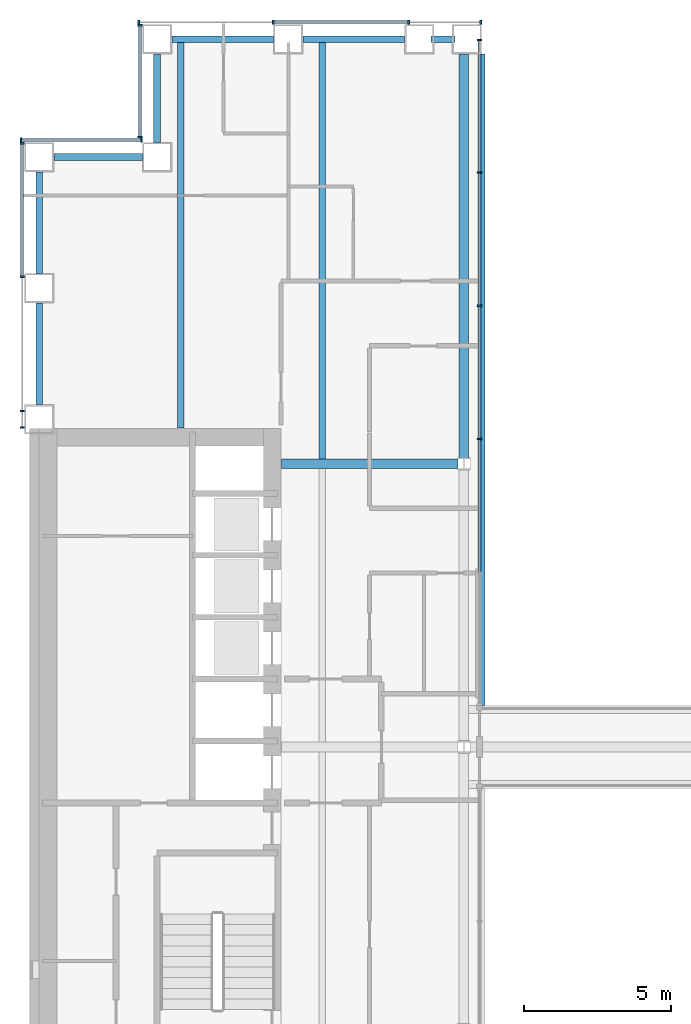
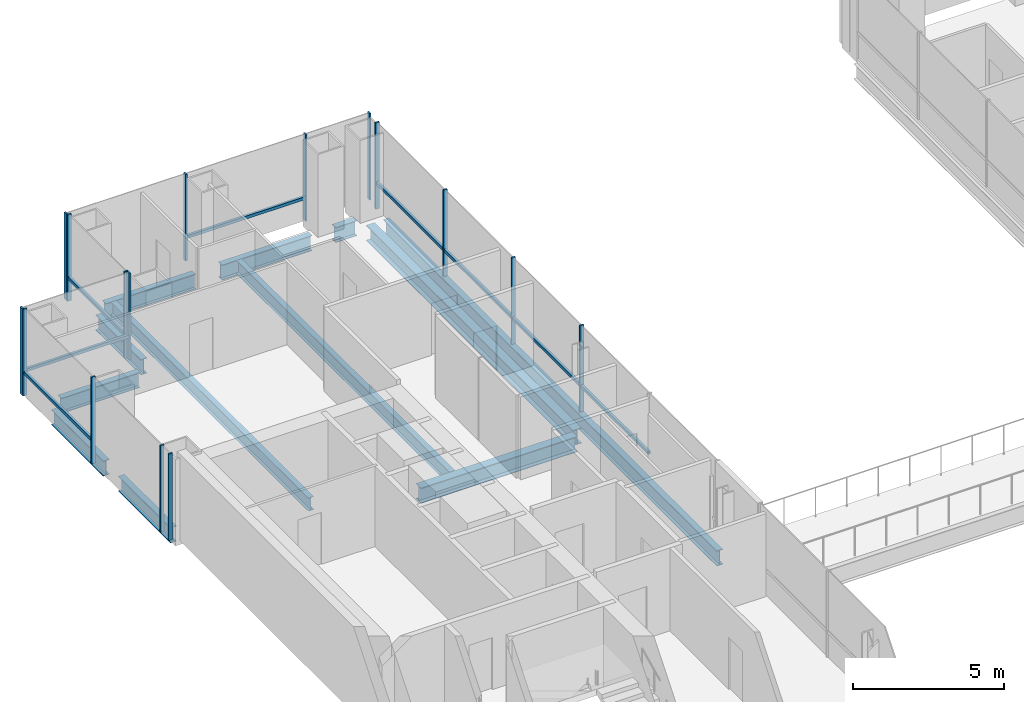
# One storey, part 6 of 18: 24 members, 12 beams, 5 elements without a shape of their own.
"""IFC4 building model written with IfcOpenShell, lengths in metres."""

from ifc_helpers import new_model, si_unit, direction, frame, origin, origin_2d, place, context, subcontext, project, spatial, rectangle, i_section, extrude, material, material_profile, profile_set, type_object, element, aggregate, save


model = new_model("IFC4")

# Units and contexts
model_context = context("Model", 3, precision=1e-05, world=origin(), true_north=direction((0.0, 1.0)))
body_context = subcontext(model_context, "Body", "Model", "MODEL_VIEW")
ifc_project = project(units=[si_unit("LENGTHUNIT", "METRE"), si_unit("AREAUNIT", "SQUARE_METRE"), si_unit("VOLUMEUNIT", "CUBIC_METRE"), si_unit("PLANEANGLEUNIT", "RADIAN"), si_unit("MASSUNIT", "GRAM", prefix="KILO")], contexts=[model_context])

# Site, building, storey
site_placement = place(None, origin())
site = spatial("IfcSite", under=ifc_project, at=site_placement, CompositionType="ELEMENT")
building_placement = place(site_placement, origin())
building = spatial("IfcBuilding", under=site, at=building_placement, Name="Cobrizo Arcos Hotel Tower", CompositionType="ELEMENT")
storey_placement = place(building_placement, frame((0.0, 0.0, 77.5)))
storey = spatial("IfcBuildingStorey", under=building, at=storey_placement, Name="L18", CompositionType="ELEMENT", Elevation=77.5)

# Curtain wall, members
ifc_material_1 = material(Name="Aluminium 6063-T6 anodised bronze", Category="aluminium")
curtain_wall_type_1 = type_object("IfcCurtainWallType", Name="CW-A guest facade", PredefinedType="NOTDEFINED", material=ifc_material_1)
curtain_wall_1_placement = place(storey_placement, origin())
curtain_wall_1 = element("IfcCurtainWall", 1, at=curtain_wall_1_placement, inside=storey, type_object=curtain_wall_type_1, Name="CW-A L18 N face", PredefinedType="NOTDEFINED")
ifc_material_profile_1 = material_profile(ifc_material_1, rectangle(XDim=0.14990234375, YDim=0.06005859375, at=origin_2d()), Name="CW-A mullion 150x60")
ifc_profile_set_1 = profile_set([ifc_material_profile_1], Name="Aluminium 6063-T6 anodised bronze")
member_type_1 = type_object("IfcMemberType", Name="CW-A mullion 150x60", PredefinedType="MULLION", material=ifc_profile_set_1)
member_1_placement = place(storey_placement, frame((-9.030029296875, 24.574951171875, 0.0), z_axis=(0.0, 0.0, 1.0), x_axis=(0.0, 1.0, 0.0)))
member_1 = element("IfcMember", 2, at=member_1_placement, type_object=member_type_1, Name="CW-A mullion 1", PredefinedType="MULLION", context=body_context, shape_type="SweptSolid", body=[
    extrude(rectangle(XDim=0.14990234375, YDim=0.06005859375, at=origin_2d()), origin(), (0.0, 0.0, 1.0), 3.5),
])
member_2_placement = place(storey_placement, frame((-11.47216796875, 24.574951171875, 0.0), z_axis=(0.0, 0.0, 1.0), x_axis=(0.0, 1.0, 0.0)))
member_2 = element("IfcMember", 3, at=member_2_placement, type_object=member_type_1, Name="CW-A mullion 2", PredefinedType="MULLION", context=body_context, shape_type="SweptSolid", body=[
    extrude(rectangle(XDim=0.14990234375, YDim=0.06005859375, at=origin_2d()), origin(), (0.0, 0.0, 1.0), 3.5),
])
member_3_placement = place(storey_placement, frame((-16.06103515625, 24.574951171875, 0.0), z_axis=(0.0, 0.0, 1.0), x_axis=(0.0, 1.0, 0.0)))
member_3 = element("IfcMember", 4, at=member_3_placement, type_object=member_type_1, Name="CW-A mullion 3", PredefinedType="MULLION", context=body_context, shape_type="SweptSolid", body=[
    extrude(rectangle(XDim=0.14990234375, YDim=0.06005859375, at=origin_2d()), origin(), (0.0, 0.0, 1.0), 3.5),
])
member_4_placement = place(storey_placement, frame((-20.6201171875, 24.574951171875, 0.0), z_axis=(0.0, 0.0, 1.0), x_axis=(0.0, 1.0, 0.0)))
member_4 = element("IfcMember", 5, at=member_4_placement, type_object=member_type_1, Name="CW-A mullion 4", PredefinedType="MULLION", context=body_context, shape_type="SweptSolid", body=[
    extrude(rectangle(XDim=0.14990234375, YDim=0.06005859375, at=origin_2d()), origin(), (0.0, 0.0, 1.0), 3.5),
])

curtain_wall_2_placement = place(storey_placement, origin())
curtain_wall_2 = element("IfcCurtainWall", 6, at=curtain_wall_2_placement, inside=storey, type_object=curtain_wall_type_1, Name="CW-A L18 W face", PredefinedType="NOTDEFINED")
member_5_placement = place(storey_placement, frame((-20.574951171875, 24.469970703125, 0.0), z_axis=(0.0, 0.0, 1.0), x_axis=(-1.0, 0.0, 0.0)))
member_5 = element("IfcMember", 7, at=member_5_placement, type_object=member_type_1, Name="CW-A mullion 1", PredefinedType="MULLION", context=body_context, shape_type="SweptSolid", body=[
    extrude(rectangle(XDim=0.14990234375, YDim=0.06005859375, at=origin_2d()), origin(), (0.0, 0.0, 1.0), 3.5),
])
member_6_placement = place(storey_placement, frame((-20.574951171875, 20.679931640625, 0.0), z_axis=(0.0, 0.0, 1.0), x_axis=(-1.0, 0.0, 0.0)))
member_6 = element("IfcMember", 8, at=member_6_placement, type_object=member_type_1, Name="CW-A mullion 2", PredefinedType="MULLION", context=body_context, shape_type="SweptSolid", body=[
    extrude(rectangle(XDim=0.14990234375, YDim=0.06005859375, at=origin_2d()), origin(), (0.0, 0.0, 1.0), 3.5),
])

curtain_wall_3_placement = place(storey_placement, origin())
curtain_wall_3 = element("IfcCurtainWall", 9, at=curtain_wall_3_placement, inside=storey, type_object=curtain_wall_type_1, Name="CW-A L18 N face", PredefinedType="NOTDEFINED")
member_7_placement = place(storey_placement, frame((-20.530029296875, 20.574951171875, 0.0), z_axis=(0.0, 0.0, 1.0), x_axis=(0.0, 1.0, 0.0)))
member_7 = element("IfcMember", 10, at=member_7_placement, type_object=member_type_1, Name="CW-A mullion 1", PredefinedType="MULLION", context=body_context, shape_type="SweptSolid", body=[
    extrude(rectangle(XDim=0.14990234375, YDim=0.06005859375, at=origin_2d()), origin(), (0.0, 0.0, 1.0), 3.5),
])
member_8_placement = place(storey_placement, frame((-24.6201171875, 20.574951171875, 0.0), z_axis=(0.0, 0.0, 1.0), x_axis=(0.0, 1.0, 0.0)))
member_8 = element("IfcMember", 11, at=member_8_placement, type_object=member_type_1, Name="CW-A mullion 2", PredefinedType="MULLION", context=body_context, shape_type="SweptSolid", body=[
    extrude(rectangle(XDim=0.14990234375, YDim=0.06005859375, at=origin_2d()), origin(), (0.0, 0.0, 1.0), 3.5),
])

curtain_wall_4_placement = place(storey_placement, origin())
curtain_wall_4 = element("IfcCurtainWall", 12, at=curtain_wall_4_placement, inside=storey, type_object=curtain_wall_type_1, Name="CW-A L18 W face", PredefinedType="NOTDEFINED")
member_9_placement = place(storey_placement, frame((-24.574951171875, 20.469970703125, 0.0), z_axis=(0.0, 0.0, 1.0), x_axis=(-1.0, 0.0, 0.0)))
member_9 = element("IfcMember", 13, at=member_9_placement, type_object=member_type_1, Name="CW-A mullion 1", PredefinedType="MULLION", context=body_context, shape_type="SweptSolid", body=[
    extrude(rectangle(XDim=0.14990234375, YDim=0.06005859375, at=origin_2d()), origin(), (0.0, 0.0, 1.0), 3.5),
])
member_10_placement = place(storey_placement, frame((-24.574951171875, 15.9443359375, 0.0), z_axis=(0.0, 0.0, 1.0), x_axis=(-1.0, 0.0, 0.0)))
member_10 = element("IfcMember", 14, at=member_10_placement, type_object=member_type_1, Name="CW-A mullion 2", PredefinedType="MULLION", context=body_context, shape_type="SweptSolid", body=[
    extrude(rectangle(XDim=0.14990234375, YDim=0.06005859375, at=origin_2d()), origin(), (0.0, 0.0, 1.0), 3.5),
])
member_11_placement = place(storey_placement, frame((-24.574951171875, 11.388916015625, 0.0), z_axis=(0.0, 0.0, 1.0), x_axis=(-1.0, 0.0, 0.0)))
member_11 = element("IfcMember", 15, at=member_11_placement, type_object=member_type_1, Name="CW-A mullion 3", PredefinedType="MULLION", context=body_context, shape_type="SweptSolid", body=[
    extrude(rectangle(XDim=0.14990234375, YDim=0.06005859375, at=origin_2d()), origin(), (0.0, 0.0, 1.0), 3.5),
])
member_12_placement = place(storey_placement, frame((-24.574951171875, 10.830078125, 0.0), z_axis=(0.0, 0.0, 1.0), x_axis=(-1.0, 0.0, 0.0)))
member_12 = element("IfcMember", 16, at=member_12_placement, type_object=member_type_1, Name="CW-A mullion 4", PredefinedType="MULLION", context=body_context, shape_type="SweptSolid", body=[
    extrude(rectangle(XDim=0.14990234375, YDim=0.06005859375, at=origin_2d()), origin(), (0.0, 0.0, 1.0), 3.5),
])

# Member
ifc_material_profile_2 = material_profile(ifc_material_1, rectangle(XDim=0.10009765625, YDim=0.1201171875, at=origin_2d()), Name="CW-A transom 120x100")
ifc_profile_set_2 = profile_set([ifc_material_profile_2], Name="Aluminium 6063-T6 anodised bronze")
member_type_2 = type_object("IfcMemberType", Name="CW-A transom 120x100", PredefinedType="USERDEFINED", material=ifc_profile_set_2)
member_13_placement = place(storey_placement, frame((-11.502197265625, 24.574951171875, 0.929931640625), z_axis=(-1.0, 0.0, 0.0), x_axis=(0.0, -1.0, 0.0)))
member_13 = element("IfcMember", 17, at=member_13_placement, type_object=member_type_2, Name="CW-A transom 769", ObjectType="TRANSOM", PredefinedType="USERDEFINED", context=body_context, shape_type="SweptSolid", body=[
    extrude(rectangle(XDim=0.10009765625, YDim=0.1201171875, at=origin_2d()), origin(), (0.0, 0.0, 1.0), 4.52880859375),
])

aggregate(curtain_wall_1, [member_1, member_2, member_3, member_4, member_13])

member_14_placement = place(storey_placement, frame((-20.574951171875, 24.43994140625, 0.929931640625), z_axis=(0.0, -1.0, 0.0), x_axis=(1.0, 0.0, 0.0)))
member_14 = element("IfcMember", 18, at=member_14_placement, type_object=member_type_2, Name="CW-A transom 771", ObjectType="TRANSOM", PredefinedType="USERDEFINED", context=body_context, shape_type="SweptSolid", body=[
    extrude(rectangle(XDim=0.10009765625, YDim=0.1201171875, at=origin_2d()), origin(), (0.0, 0.0, 1.0), 3.72998046875),
])

aggregate(curtain_wall_2, [member_5, member_6, member_14])

member_15_placement = place(storey_placement, frame((-20.56005859375, 20.574951171875, 0.929931640625), z_axis=(-1.0, 0.0, 0.0), x_axis=(0.0, -1.0, 0.0)))
member_15 = element("IfcMember", 19, at=member_15_placement, type_object=member_type_2, Name="CW-A transom 772", ObjectType="TRANSOM", PredefinedType="USERDEFINED", context=body_context, shape_type="SweptSolid", body=[
    extrude(rectangle(XDim=0.10009765625, YDim=0.1201171875, at=origin_2d()), origin(), (0.0, 0.0, 1.0), 4.030029296875),
])

aggregate(curtain_wall_3, [member_7, member_8, member_15])

member_16_placement = place(storey_placement, frame((-24.574951171875, 20.43994140625, 0.929931640625), z_axis=(0.0, -1.0, 0.0), x_axis=(1.0, 0.0, 0.0)))
member_16 = element("IfcMember", 20, at=member_16_placement, type_object=member_type_2, Name="CW-A transom 773", ObjectType="TRANSOM", PredefinedType="USERDEFINED", context=body_context, shape_type="SweptSolid", body=[
    extrude(rectangle(XDim=0.10009765625, YDim=0.1201171875, at=origin_2d()), origin(), (0.0, 0.0, 1.0), 4.465576171875),
])

aggregate(curtain_wall_4, [member_9, member_10, member_11, member_12, member_16])

# Curtain wall, members
curtain_wall_type_2 = type_object("IfcCurtainWallType", Name="CW-F void screen", PredefinedType="NOTDEFINED", material=ifc_material_1)
curtain_wall_5_placement = place(storey_placement, origin())
curtain_wall_5 = element("IfcCurtainWall", 21, at=curtain_wall_5_placement, inside=storey, type_object=curtain_wall_type_2, Name="CW-F L18 void screen A", PredefinedType="NOTDEFINED")
ifc_material_profile_3 = material_profile(ifc_material_1, rectangle(XDim=0.14990234375, YDim=0.06005859375, at=origin_2d()), Name="CW-F mullion 150x60")
ifc_profile_set_3 = profile_set([ifc_material_profile_3], Name="Aluminium 6063-T6 anodised bronze")
member_type_3 = type_object("IfcMemberType", Name="CW-F mullion 150x60", PredefinedType="MULLION", material=ifc_profile_set_3)
member_17_placement = place(storey_placement, frame((-9.074951171875, 23.969970703125, 0.0), z_axis=(0.0, 0.0, 1.0), x_axis=(-1.0, 0.0, 0.0)))
member_17 = element("IfcMember", 22, at=member_17_placement, type_object=member_type_3, Name="CW-F mullion 1", PredefinedType="MULLION", context=body_context, shape_type="SweptSolid", body=[
    extrude(rectangle(XDim=0.14990234375, YDim=0.06005859375, at=origin_2d()), origin(), (0.0, 0.0, 1.0), 3.5),
])
member_18_placement = place(storey_placement, frame((-9.074951171875, 19.47998046875, 0.0), z_axis=(0.0, 0.0, 1.0), x_axis=(-1.0, 0.0, 0.0)))
member_18 = element("IfcMember", 23, at=member_18_placement, type_object=member_type_3, Name="CW-F mullion 2", PredefinedType="MULLION", context=body_context, shape_type="SweptSolid", body=[
    extrude(rectangle(XDim=0.14990234375, YDim=0.06005859375, at=origin_2d()), origin(), (0.0, 0.0, 1.0), 3.5),
])
member_19_placement = place(storey_placement, frame((-9.074951171875, 14.9599609375, 0.0), z_axis=(0.0, 0.0, 1.0), x_axis=(-1.0, 0.0, 0.0)))
member_19 = element("IfcMember", 24, at=member_19_placement, type_object=member_type_3, Name="CW-F mullion 3", PredefinedType="MULLION", context=body_context, shape_type="SweptSolid", body=[
    extrude(rectangle(XDim=0.14990234375, YDim=0.06005859375, at=origin_2d()), origin(), (0.0, 0.0, 1.0), 3.5),
])
member_20_placement = place(storey_placement, frame((-9.074951171875, 10.43994140625, 0.0), z_axis=(0.0, 0.0, 1.0), x_axis=(-1.0, 0.0, 0.0)))
member_20 = element("IfcMember", 25, at=member_20_placement, type_object=member_type_3, Name="CW-F mullion 4", PredefinedType="MULLION", context=body_context, shape_type="SweptSolid", body=[
    extrude(rectangle(XDim=0.14990234375, YDim=0.06005859375, at=origin_2d()), origin(), (0.0, 0.0, 1.0), 3.5),
])
ifc_material_profile_4 = material_profile(ifc_material_1, rectangle(XDim=0.10009765625, YDim=0.1201171875, at=origin_2d()), Name="CW-F transom 120x100")
ifc_profile_set_4 = profile_set([ifc_material_profile_4], Name="Aluminium 6063-T6 anodised bronze")
member_type_4 = type_object("IfcMemberType", Name="CW-F transom 120x100", PredefinedType="USERDEFINED", material=ifc_profile_set_4)
member_21_placement = place(storey_placement, frame((-9.074951171875, 23.93994140625, 1.050048828125), z_axis=(0.0, -1.0, 0.0), x_axis=(1.0, 0.0, 0.0)))
member_21 = element("IfcMember", 26, at=member_21_placement, type_object=member_type_4, Name="CW-F transom 2538", ObjectType="TRANSOM", PredefinedType="USERDEFINED", context=body_context, shape_type="SweptSolid", body=[
    extrude(rectangle(XDim=0.10009765625, YDim=0.1201171875, at=origin_2d()), origin(), (0.0, 0.0, 1.0), 4.429931640625),
])
member_22_placement = place(storey_placement, frame((-9.074951171875, 19.449951171875, 1.050048828125), z_axis=(0.0, -1.0, 0.0), x_axis=(1.0, 0.0, 0.0)))
member_22 = element("IfcMember", 27, at=member_22_placement, type_object=member_type_4, Name="CW-F transom 2539", ObjectType="TRANSOM", PredefinedType="USERDEFINED", context=body_context, shape_type="SweptSolid", body=[
    extrude(rectangle(XDim=0.10009765625, YDim=0.1201171875, at=origin_2d()), origin(), (0.0, 0.0, 1.0), 4.4599609375),
])
member_23_placement = place(storey_placement, frame((-9.074951171875, 14.929931640625, 1.050048828125), z_axis=(0.0, -1.0, 0.0), x_axis=(1.0, 0.0, 0.0)))
member_23 = element("IfcMember", 28, at=member_23_placement, type_object=member_type_4, Name="CW-F transom 2540", ObjectType="TRANSOM", PredefinedType="USERDEFINED", context=body_context, shape_type="SweptSolid", body=[
    extrude(rectangle(XDim=0.10009765625, YDim=0.1201171875, at=origin_2d()), origin(), (0.0, 0.0, 1.0), 4.4599609375),
])
member_24_placement = place(storey_placement, frame((-9.074951171875, 10.409912109375, 1.050048828125), z_axis=(0.0, -1.0, 0.0), x_axis=(1.0, 0.0, 0.0)))
member_24 = element("IfcMember", 29, at=member_24_placement, type_object=member_type_4, Name="CW-F transom 2541", ObjectType="TRANSOM", PredefinedType="USERDEFINED", context=body_context, shape_type="SweptSolid", body=[
    extrude(rectangle(XDim=0.10009765625, YDim=0.1201171875, at=origin_2d()), origin(), (0.0, 0.0, 1.0), 4.4599609375),
])
aggregate(curtain_wall_5, [member_17, member_18, member_19, member_20, member_21, member_22, member_23, member_24])

# Beams
ifc_material_2 = material(Name="Steel ASTM A992 Grade 50", Category="steel")
ifc_material_profile_5 = material_profile(ifc_material_2, i_section(OverallWidth=0.209228515625, OverallDepth=0.533447265625, WebThickness=0.01025390625, FlangeThickness=0.015625, at=origin_2d()), Name="W21X62")
ifc_profile_set_5 = profile_set([ifc_material_profile_5], Name="Steel ASTM A992 Grade 50")
beam_type_1 = type_object("IfcBeamType", Name="W21X62 joist", PredefinedType="JOIST", material=ifc_profile_set_5)
beam_1_placement = place(storey_placement, frame((-19.199951171875, 10.81005859375, -0.416748046875), z_axis=(0.0, 1.0, 0.0), x_axis=(-1.0, 0.0, 0.0)))
element("IfcBeam", 30, at=beam_1_placement, inside=storey, type_object=beam_type_1, Name="Floor joist J1, L18, no. 002", PredefinedType="JOIST", context=body_context, shape_type="SweptSolid", body=[
    extrude(i_section(OverallWidth=0.209228515625, OverallDepth=0.533447265625, WebThickness=0.01025390625, FlangeThickness=0.015625, at=origin_2d()), origin(), (0.0, 0.0, 1.0), 13.099853515625),
])
beam_2_placement = place(storey_placement, frame((-14.39990234375, 9.763916015625, -0.416748046875), z_axis=(0.0, 1.0, 0.0), x_axis=(-1.0, 0.0, 0.0)))
element("IfcBeam", 31, at=beam_2_placement, inside=storey, type_object=beam_type_1, Name="Floor joist J1, L18, no. 006", PredefinedType="JOIST", context=body_context, shape_type="SweptSolid", body=[
    extrude(i_section(OverallWidth=0.209228515625, OverallDepth=0.533447265625, WebThickness=0.01025390625, FlangeThickness=0.015625, at=origin_2d()), origin(), (0.0, 0.0, 1.0), 14.14599609375),
])
ifc_material_profile_6 = material_profile(ifc_material_2, i_section(OverallWidth=0.32763671875, OverallDepth=0.622314453125, WebThickness=0.015380859375, FlangeThickness=0.0244140625, at=origin_2d()), Name="W24X131")
ifc_profile_set_6 = profile_set([ifc_material_profile_6], Name="Steel ASTM A992 Grade 50")
beam_type_2 = type_object("IfcBeamType", Name="W24X131 girder", PredefinedType="BEAM", material=ifc_profile_set_6)
beam_3_placement = place(storey_placement, frame((-15.7900390625, 9.60009765625, -0.461181640625), z_axis=(1.0, 0.0, 0.0), x_axis=(0.0, 1.0, 0.0)))
element("IfcBeam", 32, at=beam_3_placement, inside=storey, type_object=beam_type_2, Name="Floor girder G1, L18, no. 006", PredefinedType="BEAM", context=body_context, shape_type="SweptSolid", body=[
    extrude(i_section(OverallWidth=0.32763671875, OverallDepth=0.622314453125, WebThickness=0.015380859375, FlangeThickness=0.0244140625, at=origin_2d()), origin(), (0.0, 0.0, 1.0), 5.985595703125),
])
beam_4_placement = place(storey_placement, frame((-9.60009765625, 9.804443359375, -0.461181640625), z_axis=(0.0, 1.0, 0.0), x_axis=(-1.0, 0.0, 0.0)))
element("IfcBeam", 33, at=beam_4_placement, inside=storey, type_object=beam_type_2, Name="Floor girder G1, L18, no. 011", PredefinedType="BEAM", context=body_context, shape_type="SweptSolid", body=[
    extrude(i_section(OverallWidth=0.32763671875, OverallDepth=0.622314453125, WebThickness=0.015380859375, FlangeThickness=0.0244140625, at=origin_2d()), origin(), (0.0, 0.0, 1.0), 13.695556640625),
])
ifc_material_profile_7 = material_profile(ifc_material_2, i_section(OverallWidth=0.23046875, OverallDepth=0.6171875, WebThickness=0.01318359375, FlangeThickness=0.022216796875, at=origin_2d()), Name="W24X94")
ifc_profile_set_7 = profile_set([ifc_material_profile_7], Name="Steel ASTM A992 Grade 50")
beam_type_3 = type_object("IfcBeamType", Name="W24X94 spandrel", PredefinedType="SPANDREL", material=ifc_profile_set_7)
beam_5_placement = place(storey_placement, frame((-24.0, 11.611083984375, -0.45849609375), z_axis=(0.0, 1.0, 0.0), x_axis=(-1.0, 0.0, 0.0)))
element("IfcBeam", 34, at=beam_5_placement, inside=storey, type_object=beam_type_3, Name="Spandrel beam W24X94, L18, no. 020", PredefinedType="SPANDREL", context=body_context, shape_type="SweptSolid", body=[
    extrude(i_section(OverallWidth=0.23046875, OverallDepth=0.6171875, WebThickness=0.01318359375, FlangeThickness=0.022216796875, at=origin_2d()), origin(), (0.0, 0.0, 1.0), 3.44482421875),
])
beam_6_placement = place(storey_placement, frame((-24.0, 16.055908203125, -0.45849609375), z_axis=(0.0, 1.0, 0.0), x_axis=(-1.0, 0.0, 0.0)))
element("IfcBeam", 35, at=beam_6_placement, inside=storey, type_object=beam_type_3, Name="Spandrel beam W24X94, L18, no. 021", PredefinedType="SPANDREL", context=body_context, shape_type="SweptSolid", body=[
    extrude(i_section(OverallWidth=0.23046875, OverallDepth=0.6171875, WebThickness=0.01318359375, FlangeThickness=0.022216796875, at=origin_2d()), origin(), (0.0, 0.0, 1.0), 3.444091796875),
])
for number, where, z_axis, x_axis, name in (
    (36, (-23.5, 20.0, -0.45849609375), (1.0, 0.0, 0.0), (0.0, 1.0, 0.0), "Spandrel beam W24X94, L18, no. 022"),
    (37, (-20.0, 20.5, -0.45849609375), (0.0, 1.0, 0.0), (-1.0, 0.0, 0.0), "Spandrel beam W24X94, L18, no. 023"),
):
    element("IfcBeam", number, at=place(storey_placement, frame(where, z_axis=z_axis, x_axis=x_axis)), inside=storey, type_object=beam_type_3, Name=name, PredefinedType="SPANDREL", context=body_context, shape_type="SweptSolid", body=[
        extrude(i_section(OverallWidth=0.23046875, OverallDepth=0.6171875, WebThickness=0.01318359375, FlangeThickness=0.022216796875, at=origin_2d()), origin(), (0.0, 0.0, 1.0), 3.0),
    ])
beam_7_placement = place(storey_placement, frame((-19.5, 24.0, -0.45849609375), z_axis=(1.0, 0.0, 0.0), x_axis=(0.0, 1.0, 0.0)))
element("IfcBeam", 38, at=beam_7_placement, inside=storey, type_object=beam_type_3, Name="Spandrel beam W24X94, L18, no. 024", PredefinedType="SPANDREL", context=body_context, shape_type="SweptSolid", body=[
    extrude(i_section(OverallWidth=0.23046875, OverallDepth=0.6171875, WebThickness=0.01318359375, FlangeThickness=0.022216796875, at=origin_2d()), origin(), (0.0, 0.0, 1.0), 3.444091796875),
])
beam_8_placement = place(storey_placement, frame((-15.055908203125, 24.0, -0.45849609375), z_axis=(1.0, 0.0, 0.0), x_axis=(0.0, 1.0, 0.0)))
element("IfcBeam", 39, at=beam_8_placement, inside=storey, type_object=beam_type_3, Name="Spandrel beam W24X94, L18, no. 025", PredefinedType="SPANDREL", context=body_context, shape_type="SweptSolid", body=[
    extrude(i_section(OverallWidth=0.23046875, OverallDepth=0.6171875, WebThickness=0.01318359375, FlangeThickness=0.022216796875, at=origin_2d()), origin(), (0.0, 0.0, 1.0), 3.44482421875),
])
beam_9_placement = place(storey_placement, frame((-10.7109375, 24.0, -0.45849609375), z_axis=(1.0, 0.0, 0.0), x_axis=(0.0, 1.0, 0.0)))
element("IfcBeam", 40, at=beam_9_placement, inside=storey, type_object=beam_type_3, Name="Spandrel beam W24X94, L18, no. 026", PredefinedType="SPANDREL", context=body_context, shape_type="SweptSolid", body=[
    extrude(i_section(OverallWidth=0.23046875, OverallDepth=0.6171875, WebThickness=0.01318359375, FlangeThickness=0.022216796875, at=origin_2d()), origin(), (0.0, 0.0, 1.0), 0.81103515625),
])
beam_10_placement = place(storey_placement, frame((-9.0, 23.5, -0.45849609375), z_axis=(0.0, -1.0, 0.0), x_axis=(1.0, 0.0, 0.0)))
element("IfcBeam", 41, at=beam_10_placement, inside=storey, type_object=beam_type_3, Name="Spandrel beam W24X94, L18, no. 027", PredefinedType="SPANDREL", context=body_context, shape_type="SweptSolid", body=[
    extrude(i_section(OverallWidth=0.23046875, OverallDepth=0.6171875, WebThickness=0.01318359375, FlangeThickness=0.022216796875, at=origin_2d()), origin(), (0.0, 0.0, 1.0), 22.10009765625),
])

save(model, "model.ifc")
